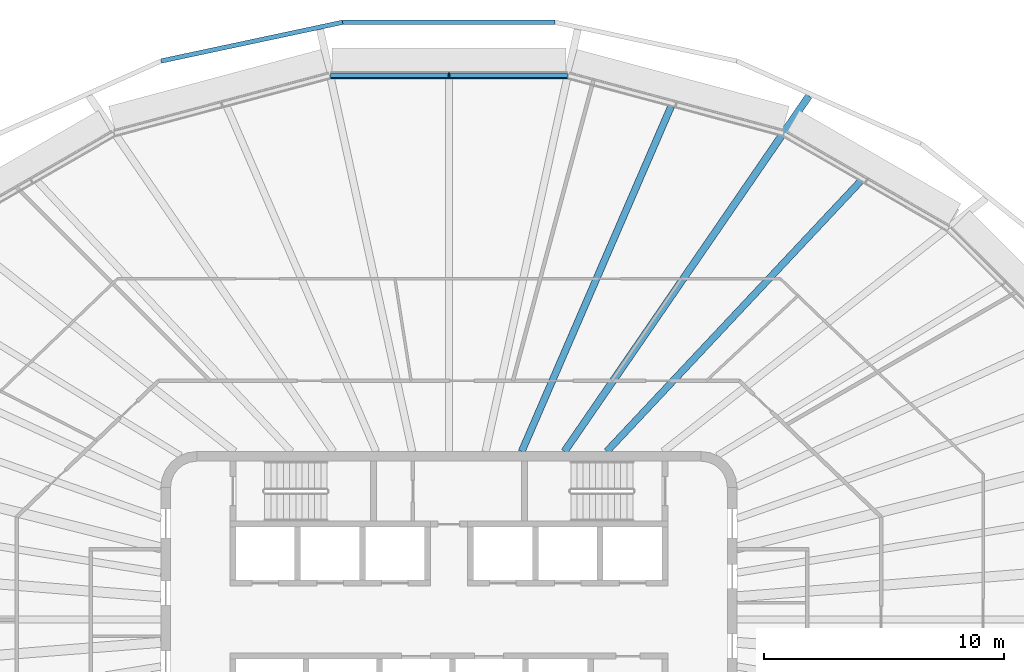
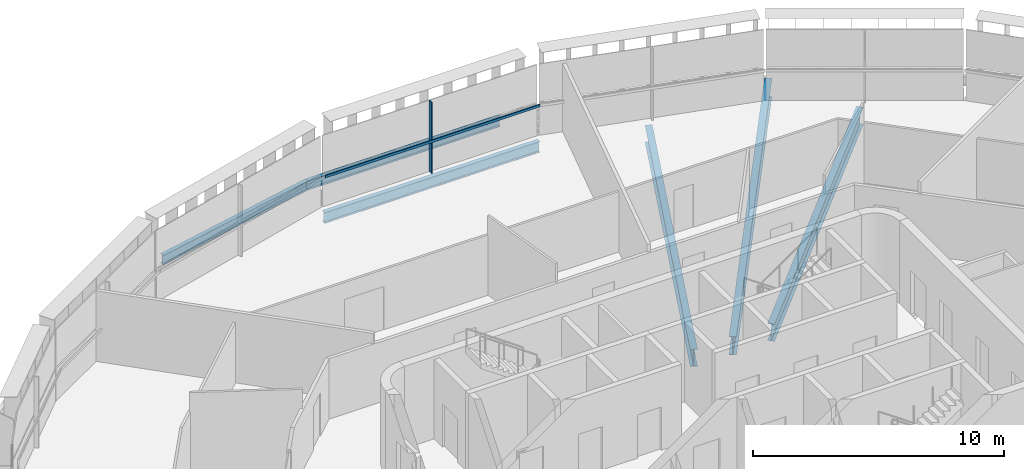
# One storey, part 7 of 19: 6 beams, 2 members, 1 element without a shape of its own.
"""IFC4 building model written with IfcOpenShell, lengths in metres."""

from ifc_helpers import new_model, si_unit, direction, frame, origin, origin_2d, place, context, subcontext, project, spatial, rectangle, i_section, extrude, material, layer, layer_set, material_profile, profile_set, type_object, element, aggregate, save


model = new_model("IFC4")

# Units and contexts
model_context = context("Model", 3, precision=1e-05, world=origin(), true_north=direction((0.0, 1.0)))
body_context = subcontext(model_context, "Body", "Model", "MODEL_VIEW")
ifc_project = project(units=[si_unit("LENGTHUNIT", "METRE"), si_unit("AREAUNIT", "SQUARE_METRE"), si_unit("VOLUMEUNIT", "CUBIC_METRE"), si_unit("PLANEANGLEUNIT", "RADIAN"), si_unit("MASSUNIT", "GRAM", prefix="KILO")], contexts=[model_context])

# Site, building, storey
site_placement = place(None, origin())
site = spatial("IfcSite", under=ifc_project, at=site_placement, CompositionType="ELEMENT")
building_placement = place(site_placement, origin())
building = spatial("IfcBuilding", under=site, at=building_placement, Name="Sahrelin Media Tower", CompositionType="ELEMENT")
storey_placement = place(building_placement, frame((0.0, 0.0, 275.0)))
storey = spatial("IfcBuildingStorey", under=building, at=storey_placement, Name="L60", CompositionType="ELEMENT", Elevation=275.0)

# Beam
ifc_material_1 = material(Name="Steel S355", Category="steel")
ifc_material_profile_1 = material_profile(ifc_material_1, i_section(OverallWidth=0.208740234375, OverallDepth=0.5283203125, WebThickness=0.009521484375, FlangeThickness=0.01318359375, FilletRadius=0.0126953125, at=origin_2d()), Name="UB 533x210x82")
ifc_profile_set_1 = profile_set([ifc_material_profile_1], Name="Steel S355")
beam_type_1 = type_object("IfcBeamType", Name="Edge beam EB6", PredefinedType="BEAM", material=ifc_profile_set_1)
beam_1_placement = place(storey_placement, frame((-4.94091796875, 22.64013671875, -0.4140625), z_axis=(1.0, 0.0, 0.0), x_axis=(0.0, 1.0, 0.0)))
element("IfcBeam", 1, at=beam_1_placement, inside=storey, type_object=beam_type_1, Name="Edge beam L60-15", PredefinedType="BEAM", context=body_context, shape_type="SweptSolid", body=[
    extrude(i_section(OverallWidth=0.208740234375, OverallDepth=0.5283203125, WebThickness=0.009521484375, FlangeThickness=0.01318359375, FilletRadius=0.0126953125, at=origin_2d()), origin(), (0.0, 0.0, 1.0), 9.8818359375),
])

# Curtain wall, member
ifc_material_2 = material(Name="Champagne anodised aluminium 6063-T6", Category="aluminium")
ifc_layer = layer(ifc_material_2, 0.14990234375)
ifc_layer_set = layer_set([ifc_layer], Name="Tower ribbon curtain wall")
curtain_wall_type = type_object("IfcCurtainWallType", Name="Tower ribbon curtain wall", PredefinedType="NOTDEFINED", material=ifc_layer_set)
curtain_wall_placement = place(storey_placement, frame((0.0, 22.790283203125, 0.0), z_axis=(0.0, 0.0, 1.0), x_axis=(1.0, 0.0, 0.0)))
curtain_wall = element("IfcCurtainWall", 2, at=curtain_wall_placement, inside=storey, type_object=curtain_wall_type, Name="L60:CW:L60-06", PredefinedType="NOTDEFINED")
ifc_material_profile_2 = material_profile(ifc_material_2, rectangle(XDim=0.06005859375, YDim=0.199951171875, at=origin_2d()), Name="Mullion 60x200")
ifc_profile_set_2 = profile_set([ifc_material_profile_2], Name="Champagne anodised aluminium 6063-T6")
member_type_1 = type_object("IfcMemberType", Name="Mullion 60x200 CW1C", PredefinedType="MULLION", material=ifc_profile_set_2)
member_1_placement = place(storey_placement, frame((0.0, 22.670166015625, 0.0), z_axis=(0.0, 0.0, 1.0), x_axis=(-1.0, 0.0, 0.0)))
member_1 = element("IfcMember", 3, at=member_1_placement, type_object=member_type_1, Name="L60:CWM:L60-06", PredefinedType="MULLION", context=body_context, shape_type="SweptSolid", body=[
    extrude(rectangle(XDim=0.06005859375, YDim=0.199951171875, at=origin_2d()), origin(), (0.0, 0.0, 1.0), 3.448486328125),
])

# Beams
ifc_material_profile_3 = material_profile(ifc_material_1, i_section(OverallWidth=0.30322265625, OverallDepth=0.903076171875, WebThickness=0.01513671875, FlangeThickness=0.020263671875, FilletRadius=0.01904296875, at=origin_2d()), Name="UB 914x305x201")
ifc_profile_set_3 = profile_set([ifc_material_profile_3], Name="Steel S355")
beam_type_2 = type_object("IfcBeamType", Name="Radial primary beam PB11", PredefinedType="BEAM", material=ifc_profile_set_3)
beam_2_placement = place(storey_placement, frame((4.812255859375, 7.0, -0.6015625), z_axis=(0.566497121099, 0.824063718281, 0.0), x_axis=(-0.824063718281, 0.566497121099, 0.0)))
element("IfcBeam", 4, at=beam_2_placement, inside=storey, type_object=beam_type_2, Name="Radial beam L60-05", PredefinedType="BEAM", context=body_context, shape_type="SweptSolid", body=[
    extrude(i_section(OverallWidth=0.30322265625, OverallDepth=0.903076171875, WebThickness=0.01513671875, FlangeThickness=0.020263671875, FilletRadius=0.01904296875, at=origin_2d()), origin(), (0.0, 0.0, 1.0), 17.976318359375),
])
ifc_material_profile_4 = material_profile(ifc_material_1, i_section(OverallWidth=0.291748046875, OverallDepth=0.8349609375, WebThickness=0.013916015625, FlangeThickness=0.018798828125, FilletRadius=0.017822265625, at=origin_2d()), Name="UB 838x292x176")
ifc_profile_set_4 = profile_set([ifc_material_profile_4], Name="Steel S355")
beam_type_3 = type_object("IfcBeamType", Name="Radial secondary beam SB10", PredefinedType="BEAM", material=ifc_profile_set_4)
beam_3_placement = place(storey_placement, frame((6.573486328125, 7.0, -0.5673828125), z_axis=(0.684553212108, 0.728962893289, 0.0), x_axis=(-0.728962893289, 0.684553212108, 0.0)))
element("IfcBeam", 5, at=beam_3_placement, inside=storey, type_object=beam_type_3, Name="Secondary beam L60-04", PredefinedType="BEAM", context=body_context, shape_type="SweptSolid", body=[
    extrude(i_section(OverallWidth=0.291748046875, OverallDepth=0.8349609375, WebThickness=0.013916015625, FlangeThickness=0.018798828125, FilletRadius=0.017822265625, at=origin_2d()), origin(), (0.0, 0.0, 1.0), 15.46435546875),
])
beam_4_placement = place(storey_placement, frame((3.03076171875, 7.0, -0.5673828125), z_axis=(0.397320146811, 0.917680064586, 0.0), x_axis=(-0.917680064586, 0.397320146811, 0.0)))
element("IfcBeam", 6, at=beam_4_placement, inside=storey, type_object=beam_type_3, Name="Secondary beam L60-05", PredefinedType="BEAM", context=body_context, shape_type="SweptSolid", body=[
    extrude(i_section(OverallWidth=0.291748046875, OverallDepth=0.8349609375, WebThickness=0.013916015625, FlangeThickness=0.018798828125, FilletRadius=0.017822265625, at=origin_2d()), origin(), (0.0, 0.0, 1.0), 15.66943359375),
])
ifc_material_profile_5 = material_profile(ifc_material_1, i_section(OverallWidth=0.1904296875, OverallDepth=0.45703125, WebThickness=0.009033203125, FlangeThickness=0.014404296875, FilletRadius=0.01025390625, at=origin_2d()), Name="UB 457x191x74")
ifc_profile_set_5 = profile_set([ifc_material_profile_5], Name="Steel S355")
beam_type_4 = type_object("IfcBeamType", Name="Tie chord TC5", PredefinedType="BEAM", material=ifc_profile_set_5)
beam_5_placement = place(storey_placement, frame((4.427001953125, 24.879638671875, -0.37841796875), z_axis=(-1.0, 0.0, 0.0), x_axis=(0.0, -1.0, 0.0)))
element("IfcBeam", 7, at=beam_5_placement, inside=storey, type_object=beam_type_4, Name="Tie chord L60-06", PredefinedType="BEAM", context=body_context, shape_type="SweptSolid", body=[
    extrude(i_section(OverallWidth=0.1904296875, OverallDepth=0.45703125, WebThickness=0.009033203125, FlangeThickness=0.014404296875, FilletRadius=0.01025390625, at=origin_2d()), origin(), (0.0, 0.0, 1.0), 8.85400390625),
])
beam_6_placement = place(storey_placement, frame((-4.427001953125, 24.879638671875, -0.37841796875), z_axis=(-0.977984505567, -0.208677518843, 0.0), x_axis=(0.208677518843, -0.977984505567, 0.0)))
element("IfcBeam", 8, at=beam_6_placement, inside=storey, type_object=beam_type_4, Name="Tie chord L60-07", PredefinedType="BEAM", context=body_context, shape_type="SweptSolid", body=[
    extrude(i_section(OverallWidth=0.1904296875, OverallDepth=0.45703125, WebThickness=0.009033203125, FlangeThickness=0.014404296875, FilletRadius=0.01025390625, at=origin_2d()), origin(), (0.0, 0.0, 1.0), 7.734375),
])

# Member
ifc_material_profile_6 = material_profile(ifc_material_2, rectangle(XDim=0.050048828125, YDim=0.1201171875, at=origin_2d()), Name="Transom 50x120")
ifc_profile_set_6 = profile_set([ifc_material_profile_6], Name="Champagne anodised aluminium 6063-T6")
member_type_2 = type_object("IfcMemberType", Name="Transom 50x120 CW1C", PredefinedType="USERDEFINED", material=ifc_profile_set_6)
member_2_placement = place(storey_placement, frame((4.92529296875, 22.545166015625, 1.60009765625), z_axis=(-1.0, 0.0, 0.0), x_axis=(0.0, -1.0, 0.0)))
member_2 = element("IfcMember", 9, at=member_2_placement, type_object=member_type_2, Name="L60:CWT:L60-06", ObjectType="TRANSOM", PredefinedType="USERDEFINED", context=body_context, shape_type="SweptSolid", body=[
    extrude(rectangle(XDim=0.050048828125, YDim=0.1201171875, at=origin_2d()), origin(), (0.0, 0.0, 1.0), 9.8505859375),
])

aggregate(curtain_wall, [member_1, member_2])

save(model, "model.ifc")
